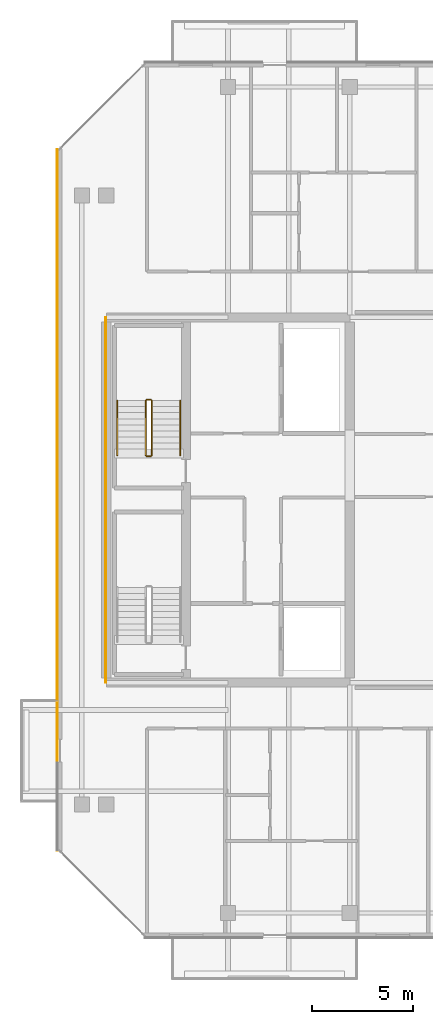
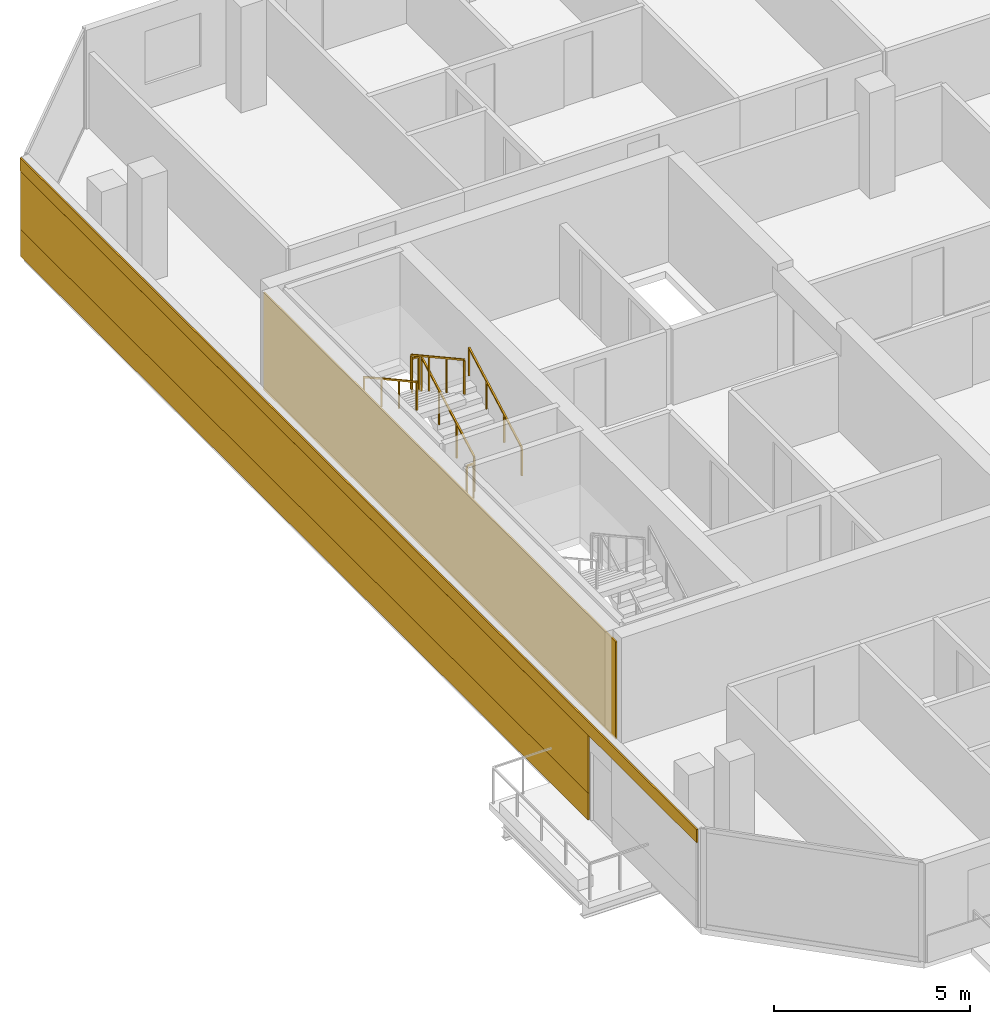
# One storey, part 26 of 28: 6 railings, 4 coverings.
"""IFC4 building model written with IfcOpenShell, lengths in metres."""

import ifcopenshell
import ifcopenshell.guid

model = None  # the IFC model being written
_history = None  # IfcOwnerHistory: only IFC2X3 demands one
_inside = {}  # id of a spatial element -> (the spatial element, [elements in it])
_under = {}  # id of a project, library or spatial element -> (it, [spatial elements below it])
_declared = {}  # id of a project -> (the project, [libraries it declares])
_typed = {}  # id of a type object -> (the type object, [elements of that type])
_made_of = {}  # id of a material, layer set ... -> (it, [elements and type objects made of it])


def new_model(schema):
    """Start an empty IFC model of exactly this schema.

    Asked for "IFC4X3", IfcOpenShell would pick the latest addendum, in which some entities
    have other attributes; the version numbers below select the first issue.
    IFC2X3 requires an IfcOwnerHistory on every rooted entity: one is made here for all.
    """
    global model, _history
    if schema == "IFC4X3":
        model = ifcopenshell.file(schema_version=(4, 3, 0, 0))
    else:
        model = ifcopenshell.file(schema=schema)
    _inside.clear()
    _under.clear()
    _declared.clear()
    _typed.clear()
    _made_of.clear()
    _history = None
    if model.schema == "IFC2X3":
        org = make("IfcOrganization", Name="unknown")
        user = make(
            "IfcPersonAndOrganization",
            ThePerson=make("IfcPerson", FamilyName="unknown"),
            TheOrganization=org,
        )
        app = make(
            "IfcApplication",
            ApplicationDeveloper=org,
            Version="unknown",
            ApplicationFullName="unknown",
            ApplicationIdentifier="unknown",
        )
        _history = make(
            "IfcOwnerHistory",
            OwningUser=user,
            OwningApplication=app,
            ChangeAction="ADDED",
            CreationDate=0,
        )
    return model


def make(cls, **values):
    """One entity of the class cls with the attributes given. An attribute that is None is left unset."""
    return model.create_entity(
        cls, **{name: value for name, value in values.items() if value is not None}
    )


def rooted(cls, **values):
    """An entity with a GlobalId (a new one), such as an element, a storey or a relation."""
    return make(cls, GlobalId=ifcopenshell.guid.new(), OwnerHistory=_history, **values)


def si_unit(unit_type, name, prefix=None):
    """IfcSIUnit, for example si_unit("LENGTHUNIT", "METRE", prefix="MILLI")."""
    return make("IfcSIUnit", UnitType=unit_type, Prefix=prefix, Name=name)


def assignment(units):
    """IfcUnitAssignment: the units of a project."""
    return None if units is None else make("IfcUnitAssignment", Units=units)


def point(xyz):
    """IfcCartesianPoint."""
    return None if xyz is None else make("IfcCartesianPoint", Coordinates=xyz)


def direction(xyz):
    """IfcDirection."""
    return None if xyz is None else make("IfcDirection", DirectionRatios=xyz)


def frame(location, z_axis=None, x_axis=None):
    """IfcAxis2Placement3D, a coordinate frame: its origin and axes. An axis left out is left unset."""
    return make(
        "IfcAxis2Placement3D",
        Location=point(location),
        Axis=direction(z_axis),
        RefDirection=direction(x_axis),
    )


def frame_2d(location, x_axis=None):
    """IfcAxis2Placement2D, a coordinate frame in the plane: its origin and x axis."""
    return make(
        "IfcAxis2Placement2D", Location=point(location), RefDirection=direction(x_axis)
    )


def origin():
    """The frame at (0, 0, 0) with its axes left unset."""
    return frame((0.0, 0.0, 0.0))


def origin_2d():
    """The frame at (0, 0) in the plane with its x axis left unset."""
    return frame_2d((0.0, 0.0))


def place(relative_to, where):
    """IfcLocalPlacement: puts the frame where relative to a parent placement (None: the world)."""
    return make(
        "IfcLocalPlacement", PlacementRelTo=relative_to, RelativePlacement=where
    )


def context(
    kind, dimensions, precision=None, world=None, true_north=None, identifier=None
):
    """IfcGeometricRepresentationContext, for example the 3D "Model" context."""
    return make(
        "IfcGeometricRepresentationContext",
        ContextIdentifier=identifier,
        ContextType=kind,
        CoordinateSpaceDimension=dimensions,
        Precision=precision,
        WorldCoordinateSystem=world,
        TrueNorth=true_north,
    )


def subcontext(parent, identifier, kind, view, scale=None):
    """IfcGeometricRepresentationSubContext, for example "Body" below "Model"."""
    return make(
        "IfcGeometricRepresentationSubContext",
        ContextIdentifier=identifier,
        ContextType=kind,
        ParentContext=parent,
        TargetScale=scale,
        TargetView=view,
    )


def project(units=None, contexts=None):
    """IfcProject with its units and contexts."""
    return rooted(
        "IfcProject",
        Name="project",
        RepresentationContexts=contexts,
        UnitsInContext=assignment(units),
    )


def spatial(cls, under=None, at=None, **own):
    """A site, building, storey or space (cls), placed at a placement, below another one or the project."""
    s = rooted(cls, ObjectPlacement=at, **own)
    if under is not None:
        _under.setdefault(under.id(), (under, []))[1].append(s)
    return s


def profile(cls, at=None, kind="AREA", **sizes):
    """A parametric profile (cls). Its sizes go by their IFC names, for example OverallWidth=200.0."""
    return make(cls, ProfileType=kind, Position=at, **sizes)


def rectangle(**sizes):
    """IfcRectangleProfileDef."""
    return profile("IfcRectangleProfileDef", **sizes)


def extrude(swept, where, along, depth):
    """IfcExtrudedAreaSolid: the profile swept, set in the frame where, extruded along a direction by depth."""
    return make(
        "IfcExtrudedAreaSolid",
        SweptArea=swept,
        Position=where,
        ExtrudedDirection=direction(along),
        Depth=depth,
    )


def shape(context_of_items, identifier, shape_type, items):
    """IfcShapeRepresentation: the items that make up one representation, for example the "Body"."""
    return make(
        "IfcShapeRepresentation",
        ContextOfItems=context_of_items,
        RepresentationIdentifier=identifier,
        RepresentationType=shape_type,
        Items=items,
    )


def material(Name=None, Category=None):
    """IfcMaterial."""
    return make("IfcMaterial", Name=Name, Category=Category)


def layer(
    of_material, thickness, ventilated=None, Name=None, Category=None, Priority=None
):
    """IfcMaterialLayer: one layer of a wall or slab, of a material (None: an air gap)."""
    return make(
        "IfcMaterialLayer",
        Material=of_material,
        LayerThickness=thickness,
        IsVentilated=ventilated,
        Name=Name,
        Category=Category,
        Priority=Priority,
    )


def layer_set(layers, Name=None):
    """IfcMaterialLayerSet."""
    return make("IfcMaterialLayerSet", MaterialLayers=layers, LayerSetName=Name)


def made_of(thing, what):
    """Note that an element or type object is made of a material, layer set ...; save() writes the relation."""
    if what is not None:
        _made_of.setdefault(what.id(), (what, []))[1].append(thing)
    return thing


def type_object(cls, material=None, **own):
    """A type object (cls), such as IfcWallType, which elements share."""
    return made_of(rooted(cls, **own), material)


def element(
    cls,
    number,
    at=None,
    inside=None,
    cuts=None,
    type_object=None,
    material=None,
    context=None,
    identifier="Body",
    shape_type=None,
    held_by="IfcProductDefinitionShape",
    body=None,
    shapes=None,
    **own,
):
    """One element of the class cls, such as IfcWall. Its Tag is "e" and its number.

    at: its placement. inside: the storey or other place that contains it. cuts: it is an
    opening in that element (IfcRelVoidsElement). A single representation is given by context,
    identifier, shape_type and body (its items); several are given by shapes. held_by: the class
    of the entity that holds the representations. save() writes the other relations.
    """
    e = rooted(cls, Tag="e%d" % number, ObjectPlacement=at, **own)
    if body is not None:
        shapes = [shape(context, identifier, shape_type, body)]
    if shapes is not None:
        e.Representation = make(held_by, Representations=shapes)
    if inside is not None:
        _inside.setdefault(inside.id(), (inside, []))[1].append(e)
    if cuts is not None:
        rooted(
            "IfcRelVoidsElement", RelatingBuildingElement=cuts, RelatedOpeningElement=e
        )
    if type_object is not None:
        _typed.setdefault(type_object.id(), (type_object, []))[1].append(e)
    return made_of(e, material)


def aggregate(whole, parts):
    """IfcRelAggregates: a whole, such as a stair, and the parts it consists of."""
    return rooted("IfcRelAggregates", RelatingObject=whole, RelatedObjects=parts)


def save(model, path):
    """Write the relations noted so far, then the file.

    IfcRelAggregates (storeys below a building ...), IfcRelContainedInSpatialStructure (elements
    in a storey), IfcRelDefinesByType, IfcRelAssociatesMaterial and IfcRelDeclares: one each for
    every whole, place, type object, material and project.
    """
    for whole, parts in _under.values():
        aggregate(whole, parts)
    for where, things in _inside.values():
        rooted(
            "IfcRelContainedInSpatialStructure",
            RelatedElements=things,
            RelatingStructure=where,
        )
    for kind, things in _typed.values():
        rooted("IfcRelDefinesByType", RelatedObjects=things, RelatingType=kind)
    for what, things in _made_of.values():
        rooted("IfcRelAssociatesMaterial", RelatedObjects=things, RelatingMaterial=what)
    for by, libraries in _declared.values():
        rooted("IfcRelDeclares", RelatingContext=by, RelatedDefinitions=libraries)
    model.write(path)


model = new_model("IFC4")

# Units and contexts
model_context = context("Model", 3, precision=1e-05, world=origin(), true_north=direction((0.0, 1.0)))
body_context = subcontext(model_context, "Body", "Model", "MODEL_VIEW")
ifc_project = project(units=[si_unit("LENGTHUNIT", "METRE"), si_unit("AREAUNIT", "SQUARE_METRE"), si_unit("VOLUMEUNIT", "CUBIC_METRE"), si_unit("PLANEANGLEUNIT", "RADIAN"), si_unit("MASSUNIT", "GRAM", prefix="KILO")], contexts=[model_context])

# Site, building, storey
site_placement = place(None, origin())
site = spatial("IfcSite", under=ifc_project, at=site_placement, CompositionType="ELEMENT")
building_placement = place(site_placement, origin())
building = spatial("IfcBuilding", under=site, at=building_placement, Name="Tanjung Sevakor Pilgrim Tower", CompositionType="ELEMENT")
storey_placement = place(building_placement, frame((0.0, 0.0, 222.75)))
storey = spatial("IfcBuildingStorey", under=building, at=storey_placement, Name="L62", CompositionType="ELEMENT", Elevation=222.75)

# Coverings
ifc_material_1 = material(Name="Reconstructed Limestone Cladding", Category="masonry")
ifc_layer = layer(ifc_material_1, 0.044921875)
ifc_layer_set = layer_set([ifc_layer], Name="COV-CLAD-LIMESTONE")
covering_type = type_object("IfcCoveringType", Name="COV-CLAD-LIMESTONE", PredefinedType="CLADDING", material=ifc_layer_set)
covering_1_placement = place(storey_placement, frame((21.577392578125, 36.3623046875, 0.009765625), z_axis=(0.0, 0.0, 1.0), x_axis=(0.0, -1.0, 0.0)))
element("IfcCovering", 1, at=covering_1_placement, inside=storey, type_object=covering_type, Name="L62 Warm Limestone Sill Spandrel EW-L62-MAIN-15-1", PredefinedType="CLADDING", context=body_context, shape_type="SweptSolid", body=[
    extrude(rectangle(XDim=29.00439453125, YDim=0.044921875, at=origin_2d()), origin(), (0.0, 0.0, 1.0), 0.840087890625),
])
covering_2_placement = place(storey_placement, frame((21.577392578125, 33.60009765625, 2.66015625), z_axis=(0.0, 0.0, 1.0), x_axis=(0.0, -1.0, 0.0)))
element("IfcCovering", 2, at=covering_2_placement, inside=storey, type_object=covering_type, Name="L62 Warm Limestone Cornice Spandrel EW-L62-MAIN-15", PredefinedType="CLADDING", context=body_context, shape_type="SweptSolid", body=[
    extrude(rectangle(XDim=34.56884765625, YDim=0.044921875, at=origin_2d()), origin(), (0.0, 0.0, 1.0), 0.409912109375),
])
covering_3_placement = place(storey_placement, frame((21.577392578125, 36.357177734375, 0.849853515625), z_axis=(0.0, 0.0, 1.0), x_axis=(0.0, -1.0, 0.0)))
element("IfcCovering", 3, at=covering_3_placement, inside=storey, type_object=covering_type, Name="L62 Warm Limestone Pier Panel EW-L62-MAIN-15-1", PredefinedType="CLADDING", context=body_context, shape_type="SweptSolid", body=[
    extrude(rectangle(XDim=29.014404296875, YDim=0.044921875, at=origin_2d()), origin(), (0.0, 0.0, 1.0), 1.81005859375),
])
covering_4_placement = place(storey_placement, frame((23.9775390625, 33.60009765625, 0.02001953125), z_axis=(0.0, 0.0, 1.0), x_axis=(1.0, 0.0, 0.0)))
element("IfcCovering", 4, at=covering_4_placement, inside=storey, type_object=covering_type, Name="L62 Expressed Core Warm Limestone Cladding W", PredefinedType="CLADDING", context=body_context, shape_type="SweptSolid", body=[
    extrude(rectangle(XDim=0.044921875, YDim=18.0, at=origin_2d()), origin(), (0.0, 0.0, 1.0), 3.0400390625),
])

# Railings
ifc_material_2 = material(Name="Steel S355J2", Category="steel")
railing_type_1 = type_object("IfcRailingType", Name="RL-STAIR-GUARD", PredefinedType="GUARDRAIL", material=ifc_material_2)
railing_1_placement = place(storey_placement, frame((26.25, 35.800048828125, 0.1650390625)))
element("IfcRailing", 5, at=railing_1_placement, inside=storey, type_object=railing_type_1, Name="L62 TS-W2 stair guard 1", PredefinedType="GUARDRAIL", context=body_context, shape_type="SweptSolid", body=[
    extrude(rectangle(XDim=0.0479, YDim=0.0479), frame((0.0, 0.0, 1.076171875), z_axis=(0.0, 0.876230963923, 0.481891375584), x_axis=(-1.0, 0.0, 0.0)), (0.0, 0.0, 1.0), 3.081298828125),
    extrude(rectangle(XDim=0.042, YDim=0.042), origin(), (0.0, 0.0, 1.0), 1.052001953125),
    extrude(rectangle(XDim=0.042, YDim=0.042), frame((0.0, 0.89990234375, 0.494873046875)), (0.0, 0.0, 1.0), 1.052001953125),
    extrude(rectangle(XDim=0.042, YDim=0.042), frame((0.0, 1.800048828125, 0.989990234375)), (0.0, 0.0, 1.0), 1.052001953125),
    extrude(rectangle(XDim=0.042, YDim=0.042), frame((0.0, 2.699951171875, 1.48486328125)), (0.0, 0.0, 1.0), 1.052001953125),
])
railing_2_placement = place(storey_placement, frame((26.199951171875, 38.550048828125, 1.64990234375)))
element("IfcRailing", 6, at=railing_2_placement, inside=storey, type_object=railing_type_1, Name="L62 TS-W2 stair guard 2", PredefinedType="GUARDRAIL", context=body_context, shape_type="SweptSolid", body=[
    extrude(rectangle(XDim=0.0479, YDim=0.0479), frame((0.0, 0.0, 1.076171875), z_axis=(-1.0, 0.0, 0.0), x_axis=(0.0, -1.0, 0.0)), (0.0, 0.0, 1.0), 0.199951171875),
    extrude(rectangle(XDim=0.042, YDim=0.042), origin(), (0.0, 0.0, 1.0), 1.052001953125),
    extrude(rectangle(XDim=0.042, YDim=0.042), frame((-0.199951171875, 0.0, 0.0)), (0.0, 0.0, 1.0), 1.052001953125),
])
railing_3_placement = place(storey_placement, frame((25.949951171875, 38.5, 1.81494140625)))
element("IfcRailing", 7, at=railing_3_placement, inside=storey, type_object=railing_type_1, Name="L62 TS-W2 stair guard 3", PredefinedType="GUARDRAIL", context=body_context, shape_type="SweptSolid", body=[
    extrude(rectangle(XDim=0.0479, YDim=0.0479), frame((0.0, 0.0, 1.076171875), z_axis=(0.0, -0.876197507361, 0.481952205197), x_axis=(1.0, 0.0, 0.0)), (0.0, 0.0, 1.0), 3.08154296875),
    extrude(rectangle(XDim=0.042, YDim=0.042), origin(), (0.0, 0.0, 1.0), 1.052001953125),
    extrude(rectangle(XDim=0.042, YDim=0.042), frame((0.0, -0.89990234375, 0.4951171875)), (0.0, 0.0, 1.0), 1.052001953125),
    extrude(rectangle(XDim=0.042, YDim=0.042), frame((0.0, -1.800048828125, 0.989990234375)), (0.0, 0.0, 1.0), 1.052001953125),
    extrude(rectangle(XDim=0.042, YDim=0.042), frame((0.0, -2.699951171875, 1.485107421875)), (0.0, 0.0, 1.0), 1.052001953125),
])
railing_4_placement = place(storey_placement, frame((26.199951171875, 35.75, 0.0)))
element("IfcRailing", 8, at=railing_4_placement, inside=storey, type_object=railing_type_1, Name="L62 TS-W2 stair guard 4", PredefinedType="GUARDRAIL", context=body_context, shape_type="SweptSolid", body=[
    extrude(rectangle(XDim=0.0479, YDim=0.0479), frame((0.0, 0.0, 1.076171875), z_axis=(-1.0, 0.0, 0.0), x_axis=(0.0, -1.0, 0.0)), (0.0, 0.0, 1.0), 0.199951171875),
    extrude(rectangle(XDim=0.042, YDim=0.042), origin(), (0.0, 0.0, 1.0), 1.052001953125),
    extrude(rectangle(XDim=0.042, YDim=0.042), frame((-0.199951171875, 0.0, 0.0)), (0.0, 0.0, 1.0), 1.052001953125),
])
ifc_material_3 = material(Name="Steel S355J2", Category="steel")
railing_type_2 = type_object("IfcRailingType", Name="RL-STAIR-HAND", PredefinedType="HANDRAIL", material=ifc_material_3)
railing_5_placement = place(storey_placement, frame((27.64990234375, 35.800048828125, 0.1650390625)))
element("IfcRailing", 9, at=railing_5_placement, inside=storey, type_object=railing_type_2, Name="L62 TS-W2 stair handrail 1", PredefinedType="HANDRAIL", context=body_context, shape_type="SweptSolid", body=[
    extrude(rectangle(XDim=0.0479, YDim=0.0479), frame((0.0, 0.0, 0.8759765625), z_axis=(0.0, 0.876230963923, 0.481891375584), x_axis=(-1.0, 0.0, 0.0)), (0.0, 0.0, 1.0), 3.081298828125),
    extrude(rectangle(XDim=0.042, YDim=0.042), origin(), (0.0, 0.0, 1.0), 0.851806640625),
    extrude(rectangle(XDim=0.042, YDim=0.042), frame((0.0, 0.89990234375, 0.494873046875)), (0.0, 0.0, 1.0), 0.851806640625),
    extrude(rectangle(XDim=0.042, YDim=0.042), frame((0.0, 1.800048828125, 0.989990234375)), (0.0, 0.0, 1.0), 0.851806640625),
    extrude(rectangle(XDim=0.042, YDim=0.042), frame((0.0, 2.699951171875, 1.48486328125)), (0.0, 0.0, 1.0), 0.851806640625),
])
railing_6_placement = place(storey_placement, frame((24.550048828125, 38.5, 1.81494140625)))
element("IfcRailing", 10, at=railing_6_placement, inside=storey, type_object=railing_type_2, Name="L62 TS-W2 stair handrail 2", PredefinedType="HANDRAIL", context=body_context, shape_type="SweptSolid", body=[
    extrude(rectangle(XDim=0.0479, YDim=0.0479), frame((0.0, 0.0, 0.8759765625), z_axis=(0.0, -0.876197507361, 0.481952205197), x_axis=(1.0, 0.0, 0.0)), (0.0, 0.0, 1.0), 3.08154296875),
    extrude(rectangle(XDim=0.042, YDim=0.042), origin(), (0.0, 0.0, 1.0), 0.851806640625),
    extrude(rectangle(XDim=0.042, YDim=0.042), frame((0.0, -0.89990234375, 0.4951171875)), (0.0, 0.0, 1.0), 0.851806640625),
    extrude(rectangle(XDim=0.042, YDim=0.042), frame((0.0, -1.800048828125, 0.989990234375)), (0.0, 0.0, 1.0), 0.851806640625),
    extrude(rectangle(XDim=0.042, YDim=0.042), frame((0.0, -2.699951171875, 1.485107421875)), (0.0, 0.0, 1.0), 0.851806640625),
])

save(model, "model.ifc")
